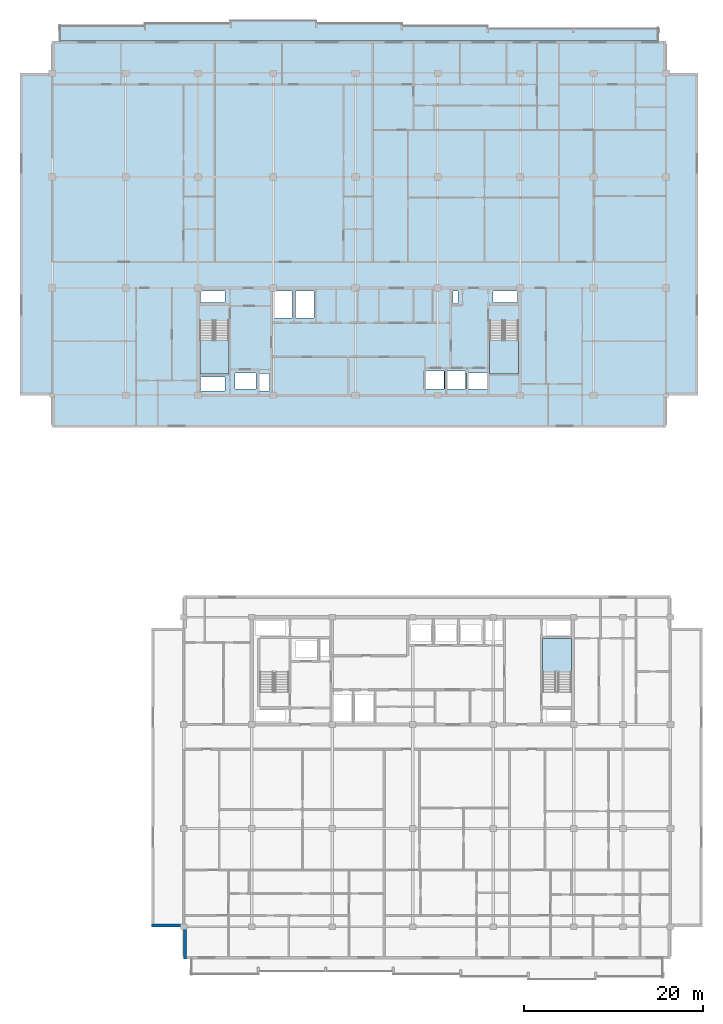
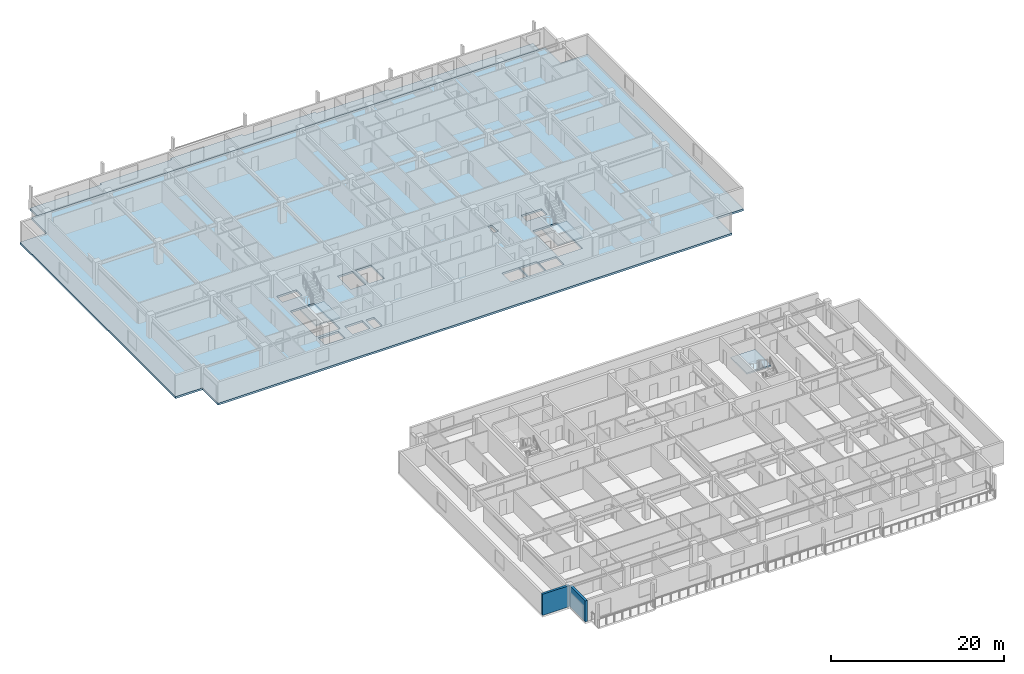
# One storey, part 3 of 22: 5 slabs, 2 walls, 3 elements without a shape of their own.
"""IFC4 building model written with IfcOpenShell, lengths in metres."""

from ifc_helpers import new_model, si_unit, direction, frame, frame_2d, origin, place, context, subcontext, project, spatial, polyline, rectangle, outline, extrude, material, layer, layer_set, type_object, element, aggregate, save


model = new_model("IFC4")

# Units and contexts
model_context = context("Model", 3, precision=1e-05, world=origin(), true_north=direction((0.0, 1.0)))
body_context = subcontext(model_context, "Body", "Model", "MODEL_VIEW")
ifc_project = project(units=[si_unit("LENGTHUNIT", "METRE"), si_unit("AREAUNIT", "SQUARE_METRE"), si_unit("VOLUMEUNIT", "CUBIC_METRE"), si_unit("PLANEANGLEUNIT", "RADIAN"), si_unit("MASSUNIT", "GRAM", prefix="KILO")], contexts=[model_context])

# Site, building, storey
site_placement = place(None, origin())
site = spatial("IfcSite", under=ifc_project, at=site_placement, CompositionType="ELEMENT")
building_placement = place(site_placement, origin())
building = spatial("IfcBuilding", under=site, at=building_placement, Name="Korimba Cascade Residences", CompositionType="ELEMENT")
storey_placement = place(building_placement, frame((0.0, 0.0, 191.35009765625)))
storey = spatial("IfcBuildingStorey", under=building, at=storey_placement, Name="L55", CompositionType="ELEMENT", Elevation=191.35009765625)

# Stair, slab
ifc_material_1 = material(Name="Concrete C50/60", Category="concrete")
stair_type_1 = type_object("IfcStairType", Name="STR-W1-18R-1806", PredefinedType="HALF_TURN_STAIR", material=ifc_material_1)
stair_1_placement = place(storey_placement, origin())
stair_1 = element("IfcStair", 1, at=stair_1_placement, inside=storey, type_object=stair_type_1, Name="L55 Tower 1 West Fire Stair ST-W1", PredefinedType="HALF_TURN_STAIR")
ifc_layer_1 = layer(ifc_material_1, 0.199951171875)
ifc_layer_set_1 = layer_set([ifc_layer_1], Name="Concrete C50/60")
slab_type_1 = type_object("IfcSlabType", Name="SLB-LND-220", PredefinedType="LANDING", material=ifc_layer_set_1)
slab_1_placement = place(storey_placement, frame((0.0, 0.0, 1.4248046875)))
slab_1 = element("IfcSlab", 2, at=slab_1_placement, type_object=slab_type_1, Name="ST-W1 landing 1", PredefinedType="LANDING", context=body_context, shape_type="SweptSolid", body=[
    extrude(outline(polyline([(76.300048828125, 61.31005859375), (76.300048828125, 57.60009765625), (79.5400390625, 57.60009765625), (79.5400390625, 61.31005859375), (76.300048828125, 61.31005859375)])), origin(), (0.0, 0.0, 1.0), 0.2001953125),
])
aggregate(stair_1, [slab_1])

stair_type_2 = type_object("IfcStairType", Name="STR-W2-18R-1806", PredefinedType="HALF_TURN_STAIR", material=ifc_material_1)
stair_2_placement = place(storey_placement, origin())
stair_2 = element("IfcStair", 3, at=stair_2_placement, inside=storey, type_object=stair_type_2, Name="L55 Tower 1 East Fire Stair ST-W2", PredefinedType="HALF_TURN_STAIR")
slab_2_placement = place(storey_placement, frame((0.0, 0.0, 1.4248046875)))
slab_2 = element("IfcSlab", 4, at=slab_2_placement, type_object=slab_type_1, Name="ST-W2 landing 1", PredefinedType="LANDING", context=body_context, shape_type="SweptSolid", body=[
    extrude(outline(polyline([(108.659912109375, 61.31005859375), (108.659912109375, 57.60009765625), (111.89990234375, 57.60009765625), (111.89990234375, 61.31005859375), (108.659912109375, 61.31005859375)])), origin(), (0.0, 0.0, 1.0), 0.2001953125),
])
aggregate(stair_2, [slab_2])

stair_type_3 = type_object("IfcStairType", Name="STR-E2-18R-1806", PredefinedType="HALF_TURN_STAIR", material=ifc_material_1)
stair_3_placement = place(storey_placement, origin())
stair_3 = element("IfcStair", 5, at=stair_3_placement, inside=storey, type_object=stair_type_3, Name="L55 Tower 2 East Fire Stair ST-E2", PredefinedType="HALF_TURN_STAIR")
slab_3_placement = place(storey_placement, frame((0.0, 0.0, 1.4248046875)))
slab_3 = element("IfcSlab", 6, at=slab_3_placement, type_object=slab_type_1, Name="ST-E2 landing 1", PredefinedType="LANDING", context=body_context, shape_type="SweptSolid", body=[
    extrude(outline(polyline([(117.840087890625, 24.2900390625), (117.840087890625, 28.0), (114.60009765625, 28.0), (114.60009765625, 24.2900390625), (117.840087890625, 24.2900390625)])), origin(), (0.0, 0.0, 1.0), 0.2001953125),
])
aggregate(stair_3, [slab_3])

# Slabs
ifc_material_2 = material(Name="Precast concrete C40/50", Category="concrete")
ifc_layer_2 = layer(ifc_material_2, 0.239990234375)
ifc_layer_set_2 = layer_set([ifc_layer_2], Name="Precast concrete C40/50")
slab_type_2 = type_object("IfcSlabType", Name="SLB-LOG-240", PredefinedType="FLOOR", material=ifc_layer_set_2)
slab_4_placement = place(storey_placement, frame((0.0, 0.0, -0.239990234375)))
element("IfcSlab", 7, at=slab_4_placement, inside=storey, type_object=slab_type_2, Name="L55 Tower 1 North Loggia Slab", PredefinedType="FLOOR", context=body_context, shape_type="SweptSolid", body=[
    extrude(outline(polyline([(60.60009765625, 94.800048828125), (127.60009765625, 94.800048828125), (127.60009765625, 96.25), (108.45703125, 96.25), (108.45703125, 96.550048828125), (98.8857421875, 96.550048828125), (98.8857421875, 96.85009765625), (89.314208984375, 96.85009765625), (89.314208984375, 97.14990234375), (79.742919921875, 97.14990234375), (79.742919921875, 96.85009765625), (70.17138671875, 96.85009765625), (70.17138671875, 96.550048828125), (60.60009765625, 96.550048828125), (60.60009765625, 94.800048828125)])), origin(), (0.0, 0.0, 1.0), 0.239990234375),
])
ifc_layer_3 = layer(ifc_material_1, 0.280029296875)
ifc_layer_set_3 = layer_set([ifc_layer_3], Name="Concrete C50/60")
slab_type_3 = type_object("IfcSlabType", Name="SLB-TYP-280", PredefinedType="FLOOR", material=ifc_layer_set_3)
slab_5_placement = place(storey_placement, frame((0.0, 0.0, -0.280029296875)))
element("IfcSlab", 8, at=slab_5_placement, inside=storey, type_object=slab_type_3, Name="L55 Tower 1 Floor Slab", PredefinedType="FLOOR", context=body_context, shape_type="SweptSolid", body=[
    extrude(outline(polyline([(59.800048828125, 51.60009765625), (128.39990234375, 51.60009765625), (128.39990234375, 55.199951171875), (132.0, 55.199951171875), (132.0, 91.199951171875), (128.39990234375, 91.199951171875), (128.39990234375, 94.800048828125), (59.800048828125, 94.800048828125), (59.800048828125, 91.199951171875), (56.199951171875, 91.199951171875), (56.199951171875, 55.199951171875), (59.800048828125, 55.199951171875), (59.800048828125, 51.60009765625)]), holes=[polyline([(76.300048828125, 63.514892578125), (76.300048828125, 57.60009765625), (79.5400390625, 57.60009765625), (79.5400390625, 63.514892578125), (76.300048828125, 63.514892578125)]), polyline([(108.659912109375, 63.514892578125), (108.659912109375, 57.60009765625), (111.89990234375, 57.60009765625), (111.89990234375, 63.514892578125), (108.659912109375, 63.514892578125)]), polyline([(80.22998046875, 55.8798828125), (82.570068359375, 55.8798828125), (82.570068359375, 57.719970703125), (80.22998046875, 57.719970703125), (80.22998046875, 55.8798828125)]), polyline([(106.080078125, 55.8798828125), (108.419921875, 55.8798828125), (108.419921875, 57.719970703125), (106.080078125, 57.719970703125), (106.080078125, 55.8798828125)]), polyline([(101.304931640625, 55.8798828125), (103.594970703125, 55.8798828125), (103.594970703125, 57.919921875), (101.304931640625, 57.919921875), (101.304931640625, 55.8798828125)]), polyline([(103.705078125, 55.8798828125), (105.9951171875, 55.8798828125), (105.9951171875, 57.919921875), (103.705078125, 57.919921875), (103.705078125, 55.8798828125)]), polyline([(82.97998046875, 55.679931640625), (84.080078125, 55.679931640625), (84.080078125, 57.6201171875), (82.97998046875, 57.6201171875), (82.97998046875, 55.679931640625)]), polyline([(76.39990234375, 65.56005859375), (79.10009765625, 65.56005859375), (79.10009765625, 66.8798828125), (76.39990234375, 66.8798828125), (76.39990234375, 65.56005859375)]), polyline([(76.39990234375, 55.679931640625), (79.10009765625, 55.679931640625), (79.10009765625, 57.239990234375), (76.39990234375, 57.239990234375), (76.39990234375, 55.679931640625)]), polyline([(84.530029296875, 63.820068359375), (86.6201171875, 63.820068359375), (86.6201171875, 66.8798828125), (84.530029296875, 66.8798828125), (84.530029296875, 63.820068359375)]), polyline([(86.97998046875, 63.820068359375), (89.070068359375, 63.820068359375), (89.070068359375, 66.8798828125), (86.97998046875, 66.8798828125), (86.97998046875, 63.820068359375)]), polyline([(104.6201171875, 65.4599609375), (105.179931640625, 65.4599609375), (105.179931640625, 66.8798828125), (104.6201171875, 66.8798828125), (104.6201171875, 65.4599609375)]), polyline([(109.080078125, 65.56005859375), (111.800048828125, 65.56005859375), (111.800048828125, 66.8798828125), (109.080078125, 66.8798828125), (109.080078125, 65.56005859375)])]), origin(), (0.0, 0.0, 1.0), 0.280029296875),
])

# Walls
ifc_layer_4 = layer(ifc_material_2, 0.300048828125)
ifc_layer_set_4 = layer_set([ifc_layer_4], Name="Precast concrete C40/50")
wall_type = type_object("IfcWallType", Name="EW-STONE-300", PredefinedType="STANDARD", material=ifc_layer_set_4)
for number, where, z_axis, x_axis, name in (
    (9, (70.89990234375, -4.050048828125, 0.0), (0.0, 0.0, 1.0), (1.0, 0.0, 0.0), "L55 T2 Perimeter Stone Wall E10"),
    (10, (74.64990234375, -4.199951171875, 0.0), (0.0, 0.0, 1.0), (0.0, -1.0, 0.0), "L55 T2 Perimeter Stone Wall E11"),
):
    element("IfcWall", number, at=place(storey_placement, frame(where, z_axis=z_axis, x_axis=x_axis)), inside=storey, type_object=wall_type, Name=name, PredefinedType="STANDARD", context=body_context, shape_type="SweptSolid", body=[
        extrude(rectangle(XDim=3.60009765625, YDim=0.300048828125, at=frame_2d((1.800048828125, 0.0))), origin(), (0.0, 0.0, 1.0), 2.969970703125),
    ])

save(model, "model.ifc")
